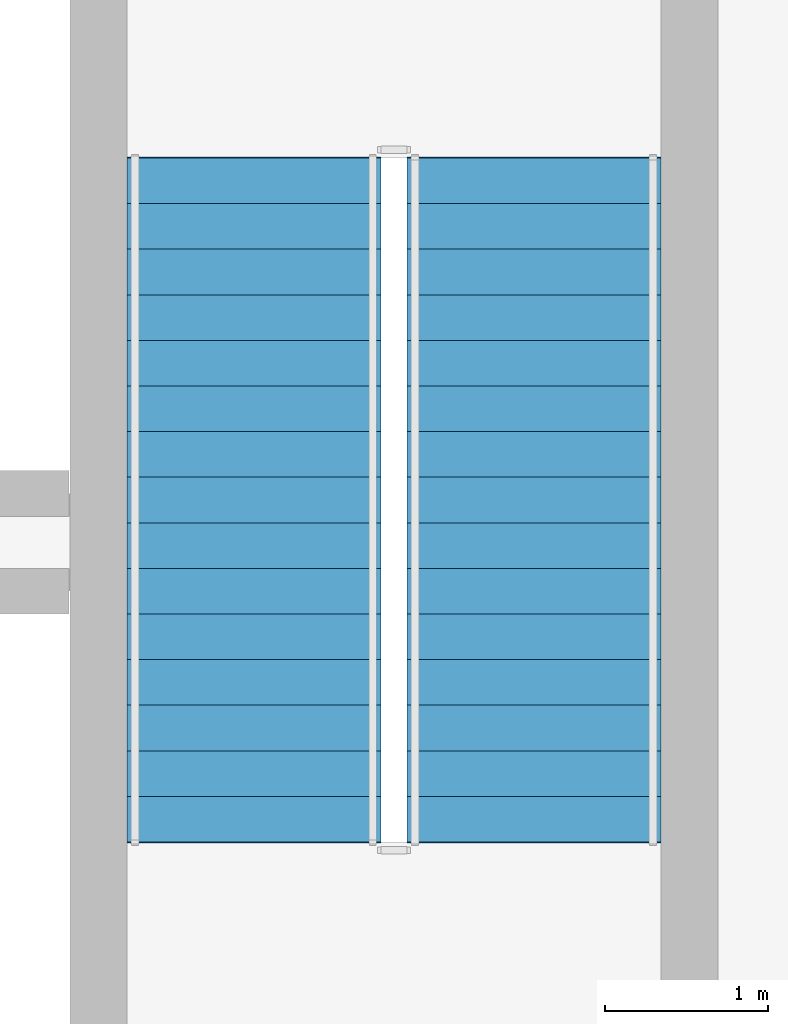
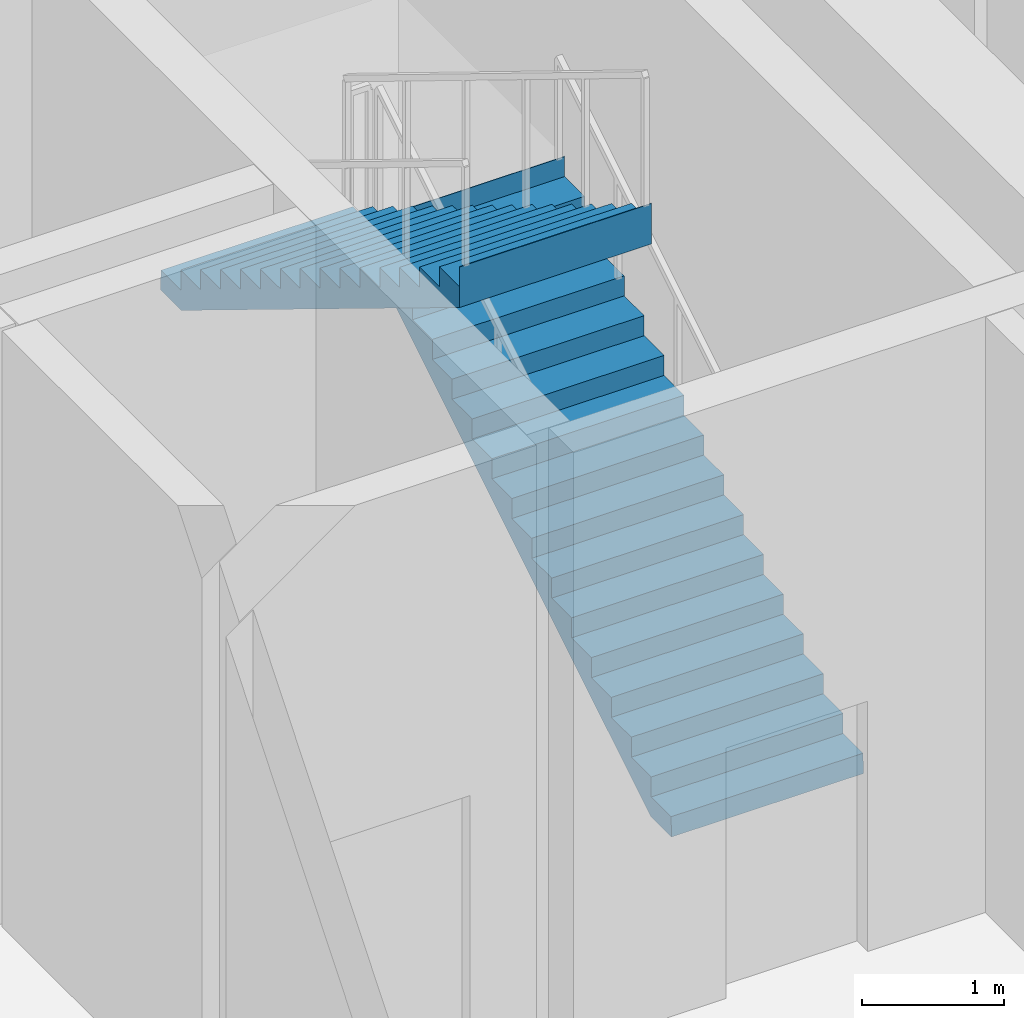
# One storey, part 23 of 26: 2 stair flights, 1 element without a shape of its own.
"""IFC4 building model written with IfcOpenShell, lengths in metres."""

import ifcopenshell
import ifcopenshell.guid

model = None  # the IFC model being written
_history = None  # IfcOwnerHistory: only IFC2X3 demands one
_inside = {}  # id of a spatial element -> (the spatial element, [elements in it])
_under = {}  # id of a project, library or spatial element -> (it, [spatial elements below it])
_declared = {}  # id of a project -> (the project, [libraries it declares])
_typed = {}  # id of a type object -> (the type object, [elements of that type])
_made_of = {}  # id of a material, layer set ... -> (it, [elements and type objects made of it])


def new_model(schema):
    """Start an empty IFC model of exactly this schema.

    Asked for "IFC4X3", IfcOpenShell would pick the latest addendum, in which some entities
    have other attributes; the version numbers below select the first issue.
    IFC2X3 requires an IfcOwnerHistory on every rooted entity: one is made here for all.
    """
    global model, _history
    if schema == "IFC4X3":
        model = ifcopenshell.file(schema_version=(4, 3, 0, 0))
    else:
        model = ifcopenshell.file(schema=schema)
    _inside.clear()
    _under.clear()
    _declared.clear()
    _typed.clear()
    _made_of.clear()
    _history = None
    if model.schema == "IFC2X3":
        org = make("IfcOrganization", Name="unknown")
        user = make(
            "IfcPersonAndOrganization",
            ThePerson=make("IfcPerson", FamilyName="unknown"),
            TheOrganization=org,
        )
        app = make(
            "IfcApplication",
            ApplicationDeveloper=org,
            Version="unknown",
            ApplicationFullName="unknown",
            ApplicationIdentifier="unknown",
        )
        _history = make(
            "IfcOwnerHistory",
            OwningUser=user,
            OwningApplication=app,
            ChangeAction="ADDED",
            CreationDate=0,
        )
    return model


def make(cls, **values):
    """One entity of the class cls with the attributes given. An attribute that is None is left unset."""
    return model.create_entity(
        cls, **{name: value for name, value in values.items() if value is not None}
    )


def rooted(cls, **values):
    """An entity with a GlobalId (a new one), such as an element, a storey or a relation."""
    return make(cls, GlobalId=ifcopenshell.guid.new(), OwnerHistory=_history, **values)


def si_unit(unit_type, name, prefix=None):
    """IfcSIUnit, for example si_unit("LENGTHUNIT", "METRE", prefix="MILLI")."""
    return make("IfcSIUnit", UnitType=unit_type, Prefix=prefix, Name=name)


def assignment(units):
    """IfcUnitAssignment: the units of a project."""
    return None if units is None else make("IfcUnitAssignment", Units=units)


def point(xyz):
    """IfcCartesianPoint."""
    return None if xyz is None else make("IfcCartesianPoint", Coordinates=xyz)


def direction(xyz):
    """IfcDirection."""
    return None if xyz is None else make("IfcDirection", DirectionRatios=xyz)


def frame(location, z_axis=None, x_axis=None):
    """IfcAxis2Placement3D, a coordinate frame: its origin and axes. An axis left out is left unset."""
    return make(
        "IfcAxis2Placement3D",
        Location=point(location),
        Axis=direction(z_axis),
        RefDirection=direction(x_axis),
    )


def origin():
    """The frame at (0, 0, 0) with its axes left unset."""
    return frame((0.0, 0.0, 0.0))


def place(relative_to, where):
    """IfcLocalPlacement: puts the frame where relative to a parent placement (None: the world)."""
    return make(
        "IfcLocalPlacement", PlacementRelTo=relative_to, RelativePlacement=where
    )


def context(
    kind, dimensions, precision=None, world=None, true_north=None, identifier=None
):
    """IfcGeometricRepresentationContext, for example the 3D "Model" context."""
    return make(
        "IfcGeometricRepresentationContext",
        ContextIdentifier=identifier,
        ContextType=kind,
        CoordinateSpaceDimension=dimensions,
        Precision=precision,
        WorldCoordinateSystem=world,
        TrueNorth=true_north,
    )


def subcontext(parent, identifier, kind, view, scale=None):
    """IfcGeometricRepresentationSubContext, for example "Body" below "Model"."""
    return make(
        "IfcGeometricRepresentationSubContext",
        ContextIdentifier=identifier,
        ContextType=kind,
        ParentContext=parent,
        TargetScale=scale,
        TargetView=view,
    )


def project(units=None, contexts=None):
    """IfcProject with its units and contexts."""
    return rooted(
        "IfcProject",
        Name="project",
        RepresentationContexts=contexts,
        UnitsInContext=assignment(units),
    )


def spatial(cls, under=None, at=None, **own):
    """A site, building, storey or space (cls), placed at a placement, below another one or the project."""
    s = rooted(cls, ObjectPlacement=at, **own)
    if under is not None:
        _under.setdefault(under.id(), (under, []))[1].append(s)
    return s


def polyline(points):
    """IfcPolyline through the points."""
    return make("IfcPolyline", Points=[point(p) for p in points])


def outline(outer, holes=None, kind="AREA"):
    """IfcArbitraryClosedProfileDef: a profile drawn as a closed curve; with holes, ...WithVoids."""
    if holes is None:
        return make("IfcArbitraryClosedProfileDef", ProfileType=kind, OuterCurve=outer)
    return make(
        "IfcArbitraryProfileDefWithVoids",
        ProfileType=kind,
        OuterCurve=outer,
        InnerCurves=holes,
    )


def extrude(swept, where, along, depth):
    """IfcExtrudedAreaSolid: the profile swept, set in the frame where, extruded along a direction by depth."""
    return make(
        "IfcExtrudedAreaSolid",
        SweptArea=swept,
        Position=where,
        ExtrudedDirection=direction(along),
        Depth=depth,
    )


def shape(context_of_items, identifier, shape_type, items):
    """IfcShapeRepresentation: the items that make up one representation, for example the "Body"."""
    return make(
        "IfcShapeRepresentation",
        ContextOfItems=context_of_items,
        RepresentationIdentifier=identifier,
        RepresentationType=shape_type,
        Items=items,
    )


def material(Name=None, Category=None):
    """IfcMaterial."""
    return make("IfcMaterial", Name=Name, Category=Category)


def made_of(thing, what):
    """Note that an element or type object is made of a material, layer set ...; save() writes the relation."""
    if what is not None:
        _made_of.setdefault(what.id(), (what, []))[1].append(thing)
    return thing


def type_object(cls, material=None, **own):
    """A type object (cls), such as IfcWallType, which elements share."""
    return made_of(rooted(cls, **own), material)


def element(
    cls,
    number,
    at=None,
    inside=None,
    cuts=None,
    type_object=None,
    material=None,
    context=None,
    identifier="Body",
    shape_type=None,
    held_by="IfcProductDefinitionShape",
    body=None,
    shapes=None,
    **own,
):
    """One element of the class cls, such as IfcWall. Its Tag is "e" and its number.

    at: its placement. inside: the storey or other place that contains it. cuts: it is an
    opening in that element (IfcRelVoidsElement). A single representation is given by context,
    identifier, shape_type and body (its items); several are given by shapes. held_by: the class
    of the entity that holds the representations. save() writes the other relations.
    """
    e = rooted(cls, Tag="e%d" % number, ObjectPlacement=at, **own)
    if body is not None:
        shapes = [shape(context, identifier, shape_type, body)]
    if shapes is not None:
        e.Representation = make(held_by, Representations=shapes)
    if inside is not None:
        _inside.setdefault(inside.id(), (inside, []))[1].append(e)
    if cuts is not None:
        rooted(
            "IfcRelVoidsElement", RelatingBuildingElement=cuts, RelatedOpeningElement=e
        )
    if type_object is not None:
        _typed.setdefault(type_object.id(), (type_object, []))[1].append(e)
    return made_of(e, material)


def aggregate(whole, parts):
    """IfcRelAggregates: a whole, such as a stair, and the parts it consists of."""
    return rooted("IfcRelAggregates", RelatingObject=whole, RelatedObjects=parts)


def save(model, path):
    """Write the relations noted so far, then the file.

    IfcRelAggregates (storeys below a building ...), IfcRelContainedInSpatialStructure (elements
    in a storey), IfcRelDefinesByType, IfcRelAssociatesMaterial and IfcRelDeclares: one each for
    every whole, place, type object, material and project.
    """
    for whole, parts in _under.values():
        aggregate(whole, parts)
    for where, things in _inside.values():
        rooted(
            "IfcRelContainedInSpatialStructure",
            RelatedElements=things,
            RelatingStructure=where,
        )
    for kind, things in _typed.values():
        rooted("IfcRelDefinesByType", RelatedObjects=things, RelatingType=kind)
    for what, things in _made_of.values():
        rooted("IfcRelAssociatesMaterial", RelatedObjects=things, RelatingMaterial=what)
    for by, libraries in _declared.values():
        rooted("IfcRelDeclares", RelatingContext=by, RelatedDefinitions=libraries)
    model.write(path)


model = new_model("IFC4")

# Units and contexts
model_context = context("Model", 3, precision=1e-05, world=origin(), true_north=direction((0.0, 1.0)))
body_context = subcontext(model_context, "Body", "Model", "MODEL_VIEW")
ifc_project = project(units=[si_unit("LENGTHUNIT", "METRE"), si_unit("AREAUNIT", "SQUARE_METRE"), si_unit("VOLUMEUNIT", "CUBIC_METRE"), si_unit("PLANEANGLEUNIT", "RADIAN"), si_unit("MASSUNIT", "GRAM", prefix="KILO")], contexts=[model_context])

# Site, building, storey
site_placement = place(None, origin())
site = spatial("IfcSite", under=ifc_project, at=site_placement, CompositionType="ELEMENT")
building_placement = place(site_placement, origin())
building = spatial("IfcBuilding", under=site, at=building_placement, Name="Kaelvorn Grand Hotel", CompositionType="ELEMENT")
storey_placement = place(building_placement, frame((0.0, 0.0, 300.199951171875)))
storey = spatial("IfcBuildingStorey", under=building, at=storey_placement, Name="L73", CompositionType="ELEMENT", Elevation=300.199951171875)

# Stair, stair flights
ifc_material = material(Name="Concrete C40/50", Category="concrete")
stair_type = type_object("IfcStairType", Name="STR-DOG-1560-R11", PredefinedType="HALF_TURN_STAIR", material=ifc_material)
stair_placement = place(storey_placement, origin())
stair = element("IfcStair", 1, at=stair_placement, inside=storey, type_object=stair_type, Name="L73 East Core Exit Stair ST3", PredefinedType="HALF_TURN_STAIR")
stair_flight_type = type_object("IfcStairFlightType", Name="FLG-DOG-1560-R11", PredefinedType="STRAIGHT", material=ifc_material)
stair_flight_1_placement = place(storey_placement, frame((65.820068359375, 41.760009765625, 0.0), z_axis=(0.0, 0.0, 1.0), x_axis=(0.0, 1.0, 0.0)))
stair_flight_1 = element("IfcStairFlight", 2, at=stair_flight_1_placement, type_object=stair_flight_type, Name="ST3 flight 1", NumberOfRisers=16, NumberOfTreads=15, PredefinedType="STRAIGHT", RiserHeight=0.171875, TreadLength=0.28, context=body_context, shape_type="SweptSolid", body=[
    extrude(outline(polyline([(-0.0048828125, 0.0), (-0.0048828125, 0.0400390625), (0.0, 0.171875), (0.280029296875, 0.171875), (0.280029296875, 0.34375), (0.56005859375, 0.34375), (0.56005859375, 0.515625), (0.840087890625, 0.515625), (0.840087890625, 0.6875), (1.1201171875, 0.6875), (1.1201171875, 0.859375), (1.39990234375, 0.859375), (1.39990234375, 1.03125), (1.679931640625, 1.03125), (1.679931640625, 1.203125), (1.9599609375, 1.203125), (1.9599609375, 1.375), (2.239990234375, 1.375), (2.239990234375, 1.546875), (2.52001953125, 1.546875), (2.52001953125, 1.71875), (2.800048828125, 1.71875), (2.800048828125, 1.890625), (3.080078125, 1.890625), (3.080078125, 2.0625), (3.360107421875, 2.0625), (3.360107421875, 2.234375), (3.639892578125, 2.234375), (3.639892578125, 2.40625), (3.919921875, 2.40625), (3.919921875, 2.578125), (4.199951171875, 2.578125), (4.199951171875, 2.75), (4.205078125, 2.75), (4.205078125, 2.40234375), (0.28662109375, 0.0), (-0.0048828125, 0.0)])), frame((0.0, 0.780029296875, 0.0), z_axis=(0.0, -1.0, 0.0), x_axis=(1.0, 0.0, 0.0)), (0.0, 0.0, 1.0), 1.56005859375),
])
stair_flight_2_placement = place(storey_placement, frame((64.10009765625, 45.9599609375, 2.75), z_axis=(0.0, 0.0, 1.0), x_axis=(0.0, -1.0, 0.0)))
stair_flight_2 = element("IfcStairFlight", 3, at=stair_flight_2_placement, type_object=stair_flight_type, Name="ST3 flight 2", NumberOfRisers=16, NumberOfTreads=15, PredefinedType="STRAIGHT", RiserHeight=0.171875, TreadLength=0.28, context=body_context, shape_type="SweptSolid", body=[
    extrude(outline(polyline([(-0.0048828125, 0.0), (-0.0048828125, 0.0400390625), (0.0, 0.171875), (0.280029296875, 0.171875), (0.280029296875, 0.34375), (0.56005859375, 0.34375), (0.56005859375, 0.515625), (0.840087890625, 0.515625), (0.840087890625, 0.6875), (1.1201171875, 0.6875), (1.1201171875, 0.859375), (1.39990234375, 0.859375), (1.39990234375, 1.03125), (1.679931640625, 1.03125), (1.679931640625, 1.203125), (1.9599609375, 1.203125), (1.9599609375, 1.375), (2.239990234375, 1.375), (2.239990234375, 1.546875), (2.52001953125, 1.546875), (2.52001953125, 1.71875), (2.800048828125, 1.71875), (2.800048828125, 1.890625), (3.080078125, 1.890625), (3.080078125, 2.0625), (3.360107421875, 2.0625), (3.360107421875, 2.234375), (3.639892578125, 2.234375), (3.639892578125, 2.40625), (3.919921875, 2.40625), (3.919921875, 2.578125), (4.199951171875, 2.578125), (4.199951171875, 2.75), (4.205078125, 2.75), (4.205078125, 2.40234375), (0.28662109375, 0.0), (-0.0048828125, 0.0)])), frame((0.0, 0.780029296875, 0.0), z_axis=(0.0, -1.0, 0.0), x_axis=(1.0, 0.0, 0.0)), (0.0, 0.0, 1.0), 1.56005859375),
])
aggregate(stair, [stair_flight_1, stair_flight_2])

save(model, "model.ifc")
